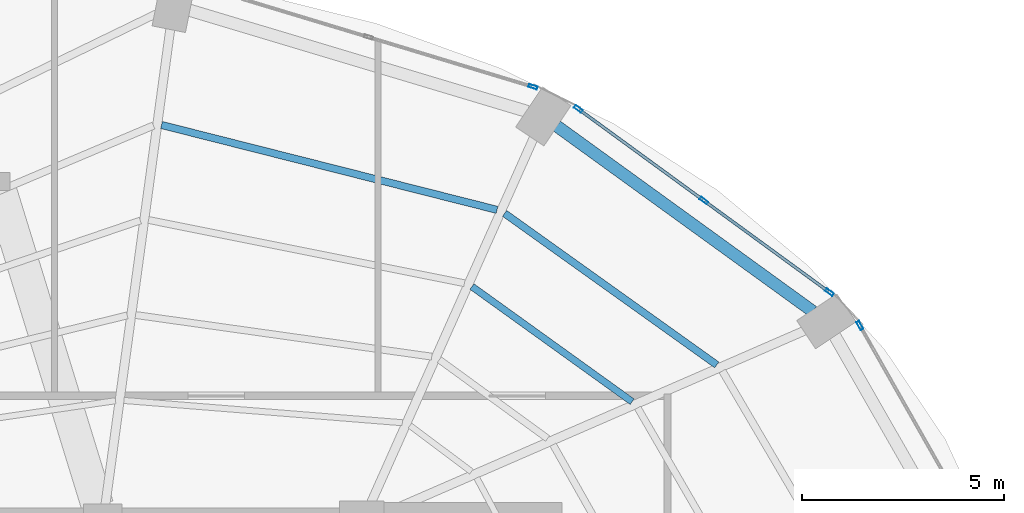
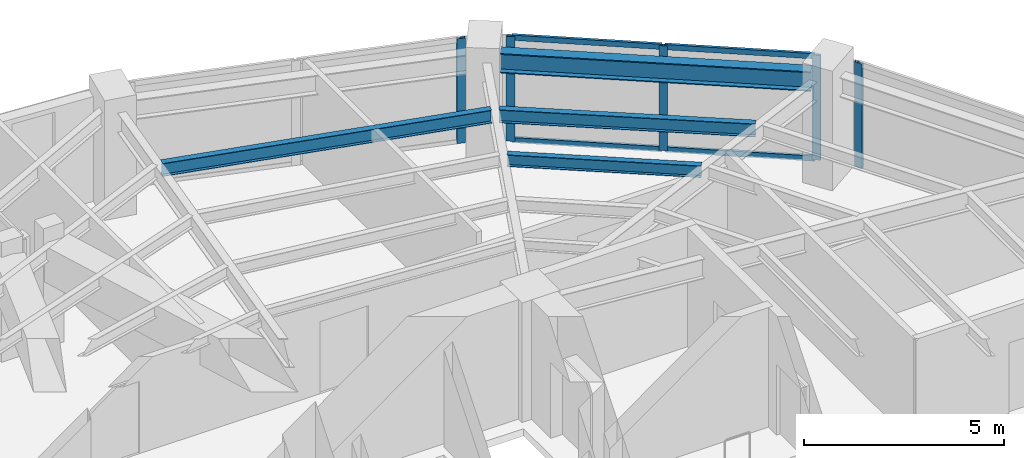
# One storey, part 17 of 24: 9 members, 4 beams, 3 elements without a shape of their own.
"""IFC4 building model written with IfcOpenShell, lengths in metres."""

from ifc_helpers import new_model, si_unit, direction, frame, origin, origin_2d, place, context, subcontext, project, spatial, hollow_rectangle, i_section, extrude, material, layer, layer_set, material_profile, profile_set, type_object, element, aggregate, save


model = new_model("IFC4")

# Units and contexts
model_context = context("Model", 3, precision=1e-05, world=origin(), true_north=direction((0.0, 1.0)))
body_context = subcontext(model_context, "Body", "Model", "MODEL_VIEW")
ifc_project = project(units=[si_unit("LENGTHUNIT", "METRE"), si_unit("AREAUNIT", "SQUARE_METRE"), si_unit("VOLUMEUNIT", "CUBIC_METRE"), si_unit("PLANEANGLEUNIT", "RADIAN"), si_unit("MASSUNIT", "GRAM", prefix="KILO")], contexts=[model_context])

# Site, building, storey
site_placement = place(None, origin())
site = spatial("IfcSite", under=ifc_project, at=site_placement, CompositionType="ELEMENT")
building_placement = place(site_placement, origin())
building = spatial("IfcBuilding", under=site, at=building_placement, Name="Lazwardi Medical Tower", CompositionType="ELEMENT")
storey_placement = place(building_placement, frame((0.0, 0.0, 129.16796875)))
storey = spatial("IfcBuildingStorey", under=building, at=storey_placement, Name="L33", CompositionType="ELEMENT", Elevation=129.16796875)

# Beams
ifc_material_1 = material(Name="Steel S355", Category="steel")
ifc_material_profile_1 = material_profile(ifc_material_1, i_section(OverallWidth=0.300048828125, OverallDepth=0.60009765625, WebThickness=0.015380859375, FlangeThickness=0.030029296875, at=origin_2d()), Name="HEB 600")
ifc_profile_set_1 = profile_set([ifc_material_profile_1], Name="Steel S355")
beam_type_1 = type_object("IfcBeamType", Name="BM-RB-Z2", PredefinedType="BEAM", material=ifc_profile_set_1)
beam_1_placement = place(storey_placement, frame((56.74560546875, 40.835205078125, 2.89794921875), z_axis=(-0.81005674773, 0.586351486275, 0.0), x_axis=(-0.586351486275, -0.81005674773, 0.0)))
element("IfcBeam", 1, at=beam_1_placement, inside=storey, type_object=beam_type_1, Name="Ring beam RB-03 B06 L33", PredefinedType="BEAM", context=body_context, shape_type="SweptSolid", body=[
    extrude(i_section(OverallWidth=0.300048828125, OverallDepth=0.60009765625, WebThickness=0.015380859375, FlangeThickness=0.030029296875, at=origin_2d()), origin(), (0.0, 0.0, 1.0), 7.81396484375),
])
ifc_material_profile_2 = material_profile(ifc_material_1, i_section(OverallWidth=0.179931640625, OverallDepth=0.39990234375, WebThickness=0.008544921875, FlangeThickness=0.013427734375, at=origin_2d()), Name="IPE 400")
ifc_profile_set_2 = profile_set([ifc_material_profile_2], Name="Steel S355")
beam_type_2 = type_object("IfcBeamType", Name="BM-SJ-01", PredefinedType="JOIST", material=ifc_profile_set_2)
beam_2_placement = place(storey_placement, frame((54.369384765625, 39.514404296875, 2.998046875), z_axis=(-0.813748834317, 0.581216684763, 0.0), x_axis=(-0.581216684763, -0.813748834317, 0.0)))
element("IfcBeam", 2, at=beam_2_placement, inside=storey, type_object=beam_type_2, Name="Secondary joist SJ-01 R1 B06 L33", PredefinedType="JOIST", context=body_context, shape_type="SweptSolid", body=[
    extrude(i_section(OverallWidth=0.179931640625, OverallDepth=0.39990234375, WebThickness=0.008544921875, FlangeThickness=0.013427734375, at=origin_2d()), origin(), (0.0, 0.0, 1.0), 6.4423828125),
])
beam_3_placement = place(storey_placement, frame((48.939697265625, 43.345703125, 2.998046875), z_axis=(-0.96945186753, 0.245281626997, 0.0), x_axis=(-0.245281626997, -0.96945186753, 0.0)))
element("IfcBeam", 3, at=beam_3_placement, inside=storey, type_object=beam_type_2, Name="Secondary joist SJ-01 R1 B07 L33", PredefinedType="JOIST", context=body_context, shape_type="SweptSolid", body=[
    extrude(i_section(OverallWidth=0.179931640625, OverallDepth=0.39990234375, WebThickness=0.008544921875, FlangeThickness=0.013427734375, at=origin_2d()), origin(), (0.0, 0.0, 1.0), 8.552978515625),
])
ifc_material_profile_3 = material_profile(ifc_material_1, i_section(OverallWidth=0.169921875, OverallDepth=0.360107421875, WebThickness=0.008056640625, FlangeThickness=0.0126953125, at=origin_2d()), Name="IPE 360")
ifc_profile_set_3 = profile_set([ifc_material_profile_3], Name="Steel S355")
beam_type_3 = type_object("IfcBeamType", Name="BM-SJ-02", PredefinedType="JOIST", material=ifc_profile_set_3)
beam_4_placement = place(storey_placement, frame((52.278564453125, 38.604736328125, 3.01806640625), z_axis=(-0.811888517177, 0.583812500446, 0.0), x_axis=(-0.583812500446, -0.811888517177, 0.0)))
element("IfcBeam", 4, at=beam_4_placement, inside=storey, type_object=beam_type_3, Name="Secondary joist SJ-02 R2 B06 L33", PredefinedType="JOIST", context=body_context, shape_type="SweptSolid", body=[
    extrude(i_section(OverallWidth=0.169921875, OverallDepth=0.360107421875, WebThickness=0.008056640625, FlangeThickness=0.0126953125, at=origin_2d()), origin(), (0.0, 0.0, 1.0), 4.874755859375),
])

# Curtain wall, member
ifc_material_2 = material(Name="Anodised bronze aluminium and solar control glazing", Category="aluminium")
ifc_layer = layer(ifc_material_2, 0.195068359375)
ifc_layer_set = layer_set([ifc_layer], Name="Anodised bronze aluminium and solar control glazing")
curtain_wall_type = type_object("IfcCurtainWallType", Name="CW-SYS-03", PredefinedType="NOTDEFINED", material=ifc_layer_set)
curtain_wall_1_placement = place(storey_placement, origin())
curtain_wall_1 = element("IfcCurtainWall", 5, at=curtain_wall_1_placement, inside=storey, type_object=curtain_wall_type, Name="L33 Unitised bronze curtain wall CW-03", PredefinedType="NOTDEFINED")
ifc_material_3 = material(Name="Anodised bronze aluminium", Category="aluminium")
ifc_material_profile_4 = material_profile(ifc_material_3, hollow_rectangle(XDim=0.074951171875, YDim=0.219970703125, WallThickness=0.00390625, at=origin_2d()), Name="ALU-MULLION 220x75x4")
ifc_profile_set_4 = profile_set([ifc_material_profile_4], Name="Anodised bronze aluminium")
member_type_1 = type_object("IfcMemberType", Name="CW-MUL-01", PredefinedType="MULLION", material=ifc_profile_set_4)
member_1_placement = place(storey_placement, frame((57.9072265625, 40.48583984375, 0.0), z_axis=(0.0, 0.0, 1.0), x_axis=(-0.869687265712, -0.493603140041, 0.0)))
member_1 = element("IfcMember", 6, at=member_1_placement, type_object=member_type_1, Name="CW-03 mullion 2", PredefinedType="MULLION", context=body_context, shape_type="SweptSolid", body=[
    extrude(hollow_rectangle(XDim=0.074951171875, YDim=0.219970703125, WallThickness=0.00390625, at=origin_2d()), origin(), (0.0, 0.0, 1.0), 3.197998046875),
])
aggregate(curtain_wall_1, [member_1])

# Curtain wall, members
curtain_wall_2_placement = place(storey_placement, origin())
curtain_wall_2 = element("IfcCurtainWall", 7, at=curtain_wall_2_placement, inside=storey, type_object=curtain_wall_type, Name="L33 Unitised bronze curtain wall CW-03", PredefinedType="NOTDEFINED")
member_2_placement = place(storey_placement, frame((57.155029296875, 41.308837890625, 0.0), z_axis=(0.0, 0.0, 1.0), x_axis=(-0.589530882802, -0.807745837639, 0.0)))
member_2 = element("IfcMember", 8, at=member_2_placement, type_object=member_type_1, Name="CW-03 mullion 1", PredefinedType="MULLION", context=body_context, shape_type="SweptSolid", body=[
    extrude(hollow_rectangle(XDim=0.074951171875, YDim=0.219970703125, WallThickness=0.00390625, at=origin_2d()), origin(), (0.0, 0.0, 1.0), 3.197998046875),
])
member_3_placement = place(storey_placement, frame((54.051025390625, 43.57421875, 0.0), z_axis=(0.0, 0.0, 1.0), x_axis=(-0.589530882802, -0.807745837639, 0.0)))
member_3 = element("IfcMember", 9, at=member_3_placement, type_object=member_type_1, Name="CW-03 mullion 2", PredefinedType="MULLION", context=body_context, shape_type="SweptSolid", body=[
    extrude(hollow_rectangle(XDim=0.074951171875, YDim=0.219970703125, WallThickness=0.00390625, at=origin_2d()), origin(), (0.0, 0.0, 1.0), 3.197998046875),
])
member_4_placement = place(storey_placement, frame((50.947265625, 45.839599609375, 0.0), z_axis=(0.0, 0.0, 1.0), x_axis=(-0.589530882802, -0.807745837639, 0.0)))
member_4 = element("IfcMember", 10, at=member_4_placement, type_object=member_type_1, Name="CW-03 mullion 3", PredefinedType="MULLION", context=body_context, shape_type="SweptSolid", body=[
    extrude(hollow_rectangle(XDim=0.074951171875, YDim=0.219970703125, WallThickness=0.00390625, at=origin_2d()), origin(), (0.0, 0.0, 1.0), 3.197998046875),
])

# Curtain wall, member
curtain_wall_3_placement = place(storey_placement, origin())
curtain_wall_3 = element("IfcCurtainWall", 11, at=curtain_wall_3_placement, inside=storey, type_object=curtain_wall_type, Name="L33 Unitised bronze curtain wall CW-03", PredefinedType="NOTDEFINED")
member_5_placement = place(storey_placement, frame((49.828369140625, 46.385986328125, 0.0), z_axis=(0.0, 0.0, 1.0), x_axis=(-0.28937381157, -0.957216170558, 0.0)))
member_5 = element("IfcMember", 12, at=member_5_placement, type_object=member_type_1, Name="CW-03 mullion 1", PredefinedType="MULLION", context=body_context, shape_type="SweptSolid", body=[
    extrude(hollow_rectangle(XDim=0.074951171875, YDim=0.219970703125, WallThickness=0.00390625, at=origin_2d()), origin(), (0.0, 0.0, 1.0), 3.197998046875),
])
aggregate(curtain_wall_3, [member_5])

# Member
ifc_material_profile_5 = material_profile(ifc_material_3, hollow_rectangle(XDim=0.074951171875, YDim=0.159912109375, WallThickness=0.00390625, at=origin_2d()), Name="ALU-TRANSOM 160x75x4")
ifc_profile_set_5 = profile_set([ifc_material_profile_5], Name="Anodised bronze aluminium")
member_type_2 = type_object("IfcMemberType", Name="CW-TRN-01", PredefinedType="USERDEFINED", material=ifc_profile_set_5)
member_6_placement = place(storey_placement, frame((57.12451171875, 41.3310546875, 0.03759765625), z_axis=(-0.807731734271, 0.589550206049, 0.0), x_axis=(-0.589550206049, -0.807731734271, 0.0)))
member_6 = element("IfcMember", 13, at=member_6_placement, type_object=member_type_2, Name="CW-03 transom 1.1", ObjectType="TRANSOM", PredefinedType="USERDEFINED", context=body_context, shape_type="SweptSolid", body=[
    extrude(hollow_rectangle(XDim=0.074951171875, YDim=0.159912109375, WallThickness=0.00390625, at=origin_2d()), origin(), (0.0, 0.0, 1.0), 3.767578125),
])

member_7_placement = place(storey_placement, frame((57.12451171875, 41.3310546875, 3.16064453125), z_axis=(-0.807731734271, 0.589550206049, 0.0), x_axis=(-0.589550206049, -0.807731734271, 0.0)))
member_7 = element("IfcMember", 14, at=member_7_placement, type_object=member_type_2, Name="CW-03 transom 1.2", ObjectType="TRANSOM", PredefinedType="USERDEFINED", context=body_context, shape_type="SweptSolid", body=[
    extrude(hollow_rectangle(XDim=0.074951171875, YDim=0.159912109375, WallThickness=0.00390625, at=origin_2d()), origin(), (0.0, 0.0, 1.0), 3.767578125),
])

member_8_placement = place(storey_placement, frame((54.020751953125, 43.596435546875, 0.03759765625), z_axis=(-0.80776259199, 0.58950792614, 0.0), x_axis=(-0.58950792614, -0.80776259199, 0.0)))
member_8 = element("IfcMember", 15, at=member_8_placement, type_object=member_type_2, Name="CW-03 transom 2.1", ObjectType="TRANSOM", PredefinedType="USERDEFINED", context=body_context, shape_type="SweptSolid", body=[
    extrude(hollow_rectangle(XDim=0.074951171875, YDim=0.159912109375, WallThickness=0.00390625, at=origin_2d()), origin(), (0.0, 0.0, 1.0), 3.767578125),
])

member_9_placement = place(storey_placement, frame((54.020751953125, 43.596435546875, 3.16064453125), z_axis=(-0.80776259199, 0.58950792614, 0.0), x_axis=(-0.58950792614, -0.80776259199, 0.0)))
member_9 = element("IfcMember", 16, at=member_9_placement, type_object=member_type_2, Name="CW-03 transom 2.2", ObjectType="TRANSOM", PredefinedType="USERDEFINED", context=body_context, shape_type="SweptSolid", body=[
    extrude(hollow_rectangle(XDim=0.074951171875, YDim=0.159912109375, WallThickness=0.00390625, at=origin_2d()), origin(), (0.0, 0.0, 1.0), 3.767578125),
])

aggregate(curtain_wall_2, [member_2, member_3, member_4, member_6, member_7, member_8, member_9])

save(model, "model.ifc")
